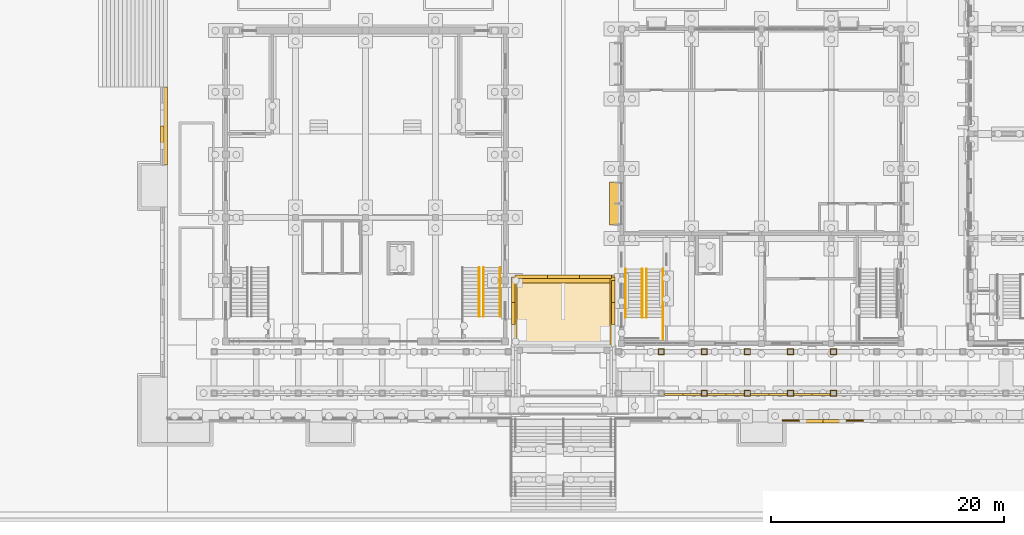
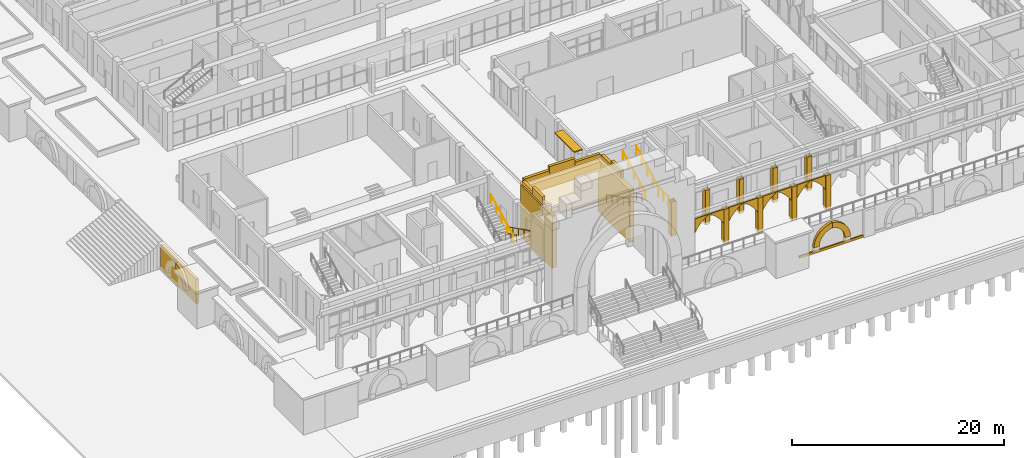
# One storey, part 91 of 161: 33 coverings, 7 railings, 1 shading device.
"""IFC4 building model written with IfcOpenShell, lengths in metres."""

import ifcopenshell
import ifcopenshell.guid

model = None  # the IFC model being written
_history = None  # IfcOwnerHistory: only IFC2X3 demands one
_inside = {}  # id of a spatial element -> (the spatial element, [elements in it])
_under = {}  # id of a project, library or spatial element -> (it, [spatial elements below it])
_declared = {}  # id of a project -> (the project, [libraries it declares])
_typed = {}  # id of a type object -> (the type object, [elements of that type])
_made_of = {}  # id of a material, layer set ... -> (it, [elements and type objects made of it])


def new_model(schema):
    """Start an empty IFC model of exactly this schema.

    Asked for "IFC4X3", IfcOpenShell would pick the latest addendum, in which some entities
    have other attributes; the version numbers below select the first issue.
    IFC2X3 requires an IfcOwnerHistory on every rooted entity: one is made here for all.
    """
    global model, _history
    if schema == "IFC4X3":
        model = ifcopenshell.file(schema_version=(4, 3, 0, 0))
    else:
        model = ifcopenshell.file(schema=schema)
    _inside.clear()
    _under.clear()
    _declared.clear()
    _typed.clear()
    _made_of.clear()
    _history = None
    if model.schema == "IFC2X3":
        org = make("IfcOrganization", Name="unknown")
        user = make(
            "IfcPersonAndOrganization",
            ThePerson=make("IfcPerson", FamilyName="unknown"),
            TheOrganization=org,
        )
        app = make(
            "IfcApplication",
            ApplicationDeveloper=org,
            Version="unknown",
            ApplicationFullName="unknown",
            ApplicationIdentifier="unknown",
        )
        _history = make(
            "IfcOwnerHistory",
            OwningUser=user,
            OwningApplication=app,
            ChangeAction="ADDED",
            CreationDate=0,
        )
    return model


def make(cls, **values):
    """One entity of the class cls with the attributes given. An attribute that is None is left unset."""
    return model.create_entity(
        cls, **{name: value for name, value in values.items() if value is not None}
    )


def rooted(cls, **values):
    """An entity with a GlobalId (a new one), such as an element, a storey or a relation."""
    return make(cls, GlobalId=ifcopenshell.guid.new(), OwnerHistory=_history, **values)


def si_unit(unit_type, name, prefix=None):
    """IfcSIUnit, for example si_unit("LENGTHUNIT", "METRE", prefix="MILLI")."""
    return make("IfcSIUnit", UnitType=unit_type, Prefix=prefix, Name=name)


def assignment(units):
    """IfcUnitAssignment: the units of a project."""
    return None if units is None else make("IfcUnitAssignment", Units=units)


def point(xyz):
    """IfcCartesianPoint."""
    return None if xyz is None else make("IfcCartesianPoint", Coordinates=xyz)


def direction(xyz):
    """IfcDirection."""
    return None if xyz is None else make("IfcDirection", DirectionRatios=xyz)


def frame(location, z_axis=None, x_axis=None):
    """IfcAxis2Placement3D, a coordinate frame: its origin and axes. An axis left out is left unset."""
    return make(
        "IfcAxis2Placement3D",
        Location=point(location),
        Axis=direction(z_axis),
        RefDirection=direction(x_axis),
    )


def frame_2d(location, x_axis=None):
    """IfcAxis2Placement2D, a coordinate frame in the plane: its origin and x axis."""
    return make(
        "IfcAxis2Placement2D", Location=point(location), RefDirection=direction(x_axis)
    )


def origin():
    """The frame at (0, 0, 0) with its axes left unset."""
    return frame((0.0, 0.0, 0.0))


def origin_2d():
    """The frame at (0, 0) in the plane with its x axis left unset."""
    return frame_2d((0.0, 0.0))


def place(relative_to, where):
    """IfcLocalPlacement: puts the frame where relative to a parent placement (None: the world)."""
    return make(
        "IfcLocalPlacement", PlacementRelTo=relative_to, RelativePlacement=where
    )


def context(
    kind, dimensions, precision=None, world=None, true_north=None, identifier=None
):
    """IfcGeometricRepresentationContext, for example the 3D "Model" context."""
    return make(
        "IfcGeometricRepresentationContext",
        ContextIdentifier=identifier,
        ContextType=kind,
        CoordinateSpaceDimension=dimensions,
        Precision=precision,
        WorldCoordinateSystem=world,
        TrueNorth=true_north,
    )


def subcontext(parent, identifier, kind, view, scale=None):
    """IfcGeometricRepresentationSubContext, for example "Body" below "Model"."""
    return make(
        "IfcGeometricRepresentationSubContext",
        ContextIdentifier=identifier,
        ContextType=kind,
        ParentContext=parent,
        TargetScale=scale,
        TargetView=view,
    )


def project(units=None, contexts=None):
    """IfcProject with its units and contexts."""
    return rooted(
        "IfcProject",
        Name="project",
        RepresentationContexts=contexts,
        UnitsInContext=assignment(units),
    )


def spatial(cls, under=None, at=None, **own):
    """A site, building, storey or space (cls), placed at a placement, below another one or the project."""
    s = rooted(cls, ObjectPlacement=at, **own)
    if under is not None:
        _under.setdefault(under.id(), (under, []))[1].append(s)
    return s


def polyline(points):
    """IfcPolyline through the points."""
    return make("IfcPolyline", Points=[point(p) for p in points])


def profile(cls, at=None, kind="AREA", **sizes):
    """A parametric profile (cls). Its sizes go by their IFC names, for example OverallWidth=200.0."""
    return make(cls, ProfileType=kind, Position=at, **sizes)


def circle(**sizes):
    """IfcCircleProfileDef."""
    return profile("IfcCircleProfileDef", **sizes)


def outline(outer, holes=None, kind="AREA"):
    """IfcArbitraryClosedProfileDef: a profile drawn as a closed curve; with holes, ...WithVoids."""
    if holes is None:
        return make("IfcArbitraryClosedProfileDef", ProfileType=kind, OuterCurve=outer)
    return make(
        "IfcArbitraryProfileDefWithVoids",
        ProfileType=kind,
        OuterCurve=outer,
        InnerCurves=holes,
    )


def extrude(swept, where, along, depth):
    """IfcExtrudedAreaSolid: the profile swept, set in the frame where, extruded along a direction by depth."""
    return make(
        "IfcExtrudedAreaSolid",
        SweptArea=swept,
        Position=where,
        ExtrudedDirection=direction(along),
        Depth=depth,
    )


def shape(context_of_items, identifier, shape_type, items):
    """IfcShapeRepresentation: the items that make up one representation, for example the "Body"."""
    return make(
        "IfcShapeRepresentation",
        ContextOfItems=context_of_items,
        RepresentationIdentifier=identifier,
        RepresentationType=shape_type,
        Items=items,
    )


def material(Name=None, Category=None):
    """IfcMaterial."""
    return make("IfcMaterial", Name=Name, Category=Category)


def layer(
    of_material, thickness, ventilated=None, Name=None, Category=None, Priority=None
):
    """IfcMaterialLayer: one layer of a wall or slab, of a material (None: an air gap)."""
    return make(
        "IfcMaterialLayer",
        Material=of_material,
        LayerThickness=thickness,
        IsVentilated=ventilated,
        Name=Name,
        Category=Category,
        Priority=Priority,
    )


def layer_set(layers, Name=None):
    """IfcMaterialLayerSet."""
    return make("IfcMaterialLayerSet", MaterialLayers=layers, LayerSetName=Name)


def made_of(thing, what):
    """Note that an element or type object is made of a material, layer set ...; save() writes the relation."""
    if what is not None:
        _made_of.setdefault(what.id(), (what, []))[1].append(thing)
    return thing


def type_object(cls, material=None, **own):
    """A type object (cls), such as IfcWallType, which elements share."""
    return made_of(rooted(cls, **own), material)


def element(
    cls,
    number,
    at=None,
    inside=None,
    cuts=None,
    type_object=None,
    material=None,
    context=None,
    identifier="Body",
    shape_type=None,
    held_by="IfcProductDefinitionShape",
    body=None,
    shapes=None,
    **own,
):
    """One element of the class cls, such as IfcWall. Its Tag is "e" and its number.

    at: its placement. inside: the storey or other place that contains it. cuts: it is an
    opening in that element (IfcRelVoidsElement). A single representation is given by context,
    identifier, shape_type and body (its items); several are given by shapes. held_by: the class
    of the entity that holds the representations. save() writes the other relations.
    """
    e = rooted(cls, Tag="e%d" % number, ObjectPlacement=at, **own)
    if body is not None:
        shapes = [shape(context, identifier, shape_type, body)]
    if shapes is not None:
        e.Representation = make(held_by, Representations=shapes)
    if inside is not None:
        _inside.setdefault(inside.id(), (inside, []))[1].append(e)
    if cuts is not None:
        rooted(
            "IfcRelVoidsElement", RelatingBuildingElement=cuts, RelatedOpeningElement=e
        )
    if type_object is not None:
        _typed.setdefault(type_object.id(), (type_object, []))[1].append(e)
    return made_of(e, material)


def aggregate(whole, parts):
    """IfcRelAggregates: a whole, such as a stair, and the parts it consists of."""
    return rooted("IfcRelAggregates", RelatingObject=whole, RelatedObjects=parts)


def save(model, path):
    """Write the relations noted so far, then the file.

    IfcRelAggregates (storeys below a building ...), IfcRelContainedInSpatialStructure (elements
    in a storey), IfcRelDefinesByType, IfcRelAssociatesMaterial and IfcRelDeclares: one each for
    every whole, place, type object, material and project.
    """
    for whole, parts in _under.values():
        aggregate(whole, parts)
    for where, things in _inside.values():
        rooted(
            "IfcRelContainedInSpatialStructure",
            RelatedElements=things,
            RelatingStructure=where,
        )
    for kind, things in _typed.values():
        rooted("IfcRelDefinesByType", RelatedObjects=things, RelatingType=kind)
    for what, things in _made_of.values():
        rooted("IfcRelAssociatesMaterial", RelatedObjects=things, RelatingMaterial=what)
    for by, libraries in _declared.values():
        rooted("IfcRelDeclares", RelatingContext=by, RelatedDefinitions=libraries)
    model.write(path)


model = new_model("IFC4")

# Units and contexts
model_context = context("Model", 3, precision=1e-05, world=origin(), true_north=direction((0.0, 1.0)))
body_context = subcontext(model_context, "Body", "Model", "MODEL_VIEW")
ifc_project = project(units=[si_unit("LENGTHUNIT", "METRE"), si_unit("AREAUNIT", "SQUARE_METRE"), si_unit("VOLUMEUNIT", "CUBIC_METRE"), si_unit("PLANEANGLEUNIT", "RADIAN"), si_unit("MASSUNIT", "GRAM", prefix="KILO")], contexts=[model_context])

# Site, building, storey
site_placement = place(None, origin())
site = spatial("IfcSite", under=ifc_project, at=site_placement, CompositionType="ELEMENT")
building_placement = place(site_placement, origin())
building = spatial("IfcBuilding", under=site, at=building_placement, Name="Elbe Cascade School", CompositionType="ELEMENT")
storey_placement = place(building_placement, origin())
storey = spatial("IfcBuildingStorey", under=building, at=storey_placement, Name="L00", CompositionType="ELEMENT", Elevation=0.0)

# Railings
ifc_material_1 = material(Name="Steel - stainless handrail", Category="steel")
railing_type_1 = type_object("IfcRailingType", Name="Assembly hall handrail 900", PredefinedType="HANDRAIL", material=ifc_material_1)
for number, where, name in (
    (1, (28.570068359375, 12.5, 0.14990234375), "Assembly hall handrail 900 RL15"),
    (2, (27.1298828125, 12.5, 0.14990234375), "Assembly hall handrail 900 RL15"),
):
    element("IfcRailing", number, at=place(storey_placement, frame(where)), inside=storey, type_object=railing_type_1, Name=name, PredefinedType="HANDRAIL", context=body_context, shape_type="SweptSolid", body=[
        extrude(circle(Radius=0.0224609375, at=origin_2d()), frame((0.0, 0.0, 0.87744140625), z_axis=(0.0, -0.894416792377, 0.447234392142), x_axis=(1.0, 0.0, 0.0)), (0.0, 0.0, 1.0), 4.69580078125),
        extrude(circle(Radius=0.02001953125, at=origin_2d()), origin(), (0.0, 0.0, 1.0), 0.85498046875),
        extrude(circle(Radius=0.02001953125, at=origin_2d()), frame((0.0, -1.050048828125, 0.52490234375)), (0.0, 0.0, 1.0), 0.85498046875),
        extrude(circle(Radius=0.02001953125, at=origin_2d()), frame((0.0, -2.10009765625, 1.050048828125)), (0.0, 0.0, 1.0), 0.85498046875),
        extrude(circle(Radius=0.02001953125, at=origin_2d()), frame((0.0, -3.14990234375, 1.5751953125)), (0.0, 0.0, 1.0), 0.85498046875),
        extrude(circle(Radius=0.02001953125, at=origin_2d()), frame((0.0, -4.199951171875, 2.10009765625)), (0.0, 0.0, 1.0), 0.85498046875),
    ])
railing_1_placement = place(storey_placement, frame((26.77001953125, 8.300048828125, 2.39990234375)))
element("IfcRailing", 3, at=railing_1_placement, inside=storey, type_object=railing_type_1, Name="Assembly hall handrail 900 RL15", PredefinedType="HANDRAIL", context=body_context, shape_type="SweptSolid", body=[
    extrude(circle(Radius=0.0224609375, at=origin_2d()), frame((0.0, 0.0, 0.87744140625), z_axis=(0.0, 0.894416792377, 0.447234392142), x_axis=(-1.0, 0.0, 0.0)), (0.0, 0.0, 1.0), 4.69580078125),
    extrude(circle(Radius=0.02001953125, at=origin_2d()), origin(), (0.0, 0.0, 1.0), 0.85498046875),
    extrude(circle(Radius=0.02001953125, at=origin_2d()), frame((0.0, 1.050048828125, 0.52490234375)), (0.0, 0.0, 1.0), 0.85498046875),
    extrude(circle(Radius=0.02001953125, at=origin_2d()), frame((0.0, 2.10009765625, 1.050048828125)), (0.0, 0.0, 1.0), 0.85498046875),
    extrude(circle(Radius=0.02001953125, at=origin_2d()), frame((0.0, 3.14990234375, 1.5751953125)), (0.0, 0.0, 1.0), 0.85498046875),
    extrude(circle(Radius=0.02001953125, at=origin_2d()), frame((0.0, 4.199951171875, 2.10009765625)), (0.0, 0.0, 1.0), 0.85498046875),
])
ifc_material_2 = material(Name="Steel S355J2H balustrade", Category="steel")
railing_type_2 = type_object("IfcRailingType", Name="Cafe guard 1100", PredefinedType="GUARDRAIL", material=ifc_material_2)
railing_2_placement = place(storey_placement, frame((42.570068359375, 6.35009765625, 2.25)))
element("IfcRailing", 4, at=railing_2_placement, inside=storey, type_object=railing_type_2, Name="Cafe guard 1100 RL11", PredefinedType="GUARDRAIL", context=body_context, shape_type="SweptSolid", body=[
    extrude(circle(Radius=0.02490234375, at=origin_2d()), frame((0.0, 0.0, 1.0751953125), z_axis=(0.0, 1.0, 0.0), x_axis=(-1.0, 0.0, 0.0)), (0.0, 0.0, 1.0), 1.849853515625),
    extrude(circle(Radius=0.02490234375, at=origin_2d()), frame((0.0, 1.849853515625, 1.0751953125), z_axis=(0.0, 0.881477684796, 0.472225678258), x_axis=(-1.0, 0.0, 0.0)), (0.0, 0.0, 1.0), 4.7646484375),
    extrude(circle(Radius=0.02001953125, at=origin_2d()), origin(), (0.0, 0.0, 1.0), 1.050048828125),
    extrude(circle(Radius=0.02001953125, at=origin_2d()), frame((0.0, 0.9248046875, 0.0)), (0.0, 0.0, 1.0), 1.050048828125),
    extrude(circle(Radius=0.02001953125, at=origin_2d()), frame((0.0, 1.849853515625, 0.0)), (0.0, 0.0, 1.0), 1.050048828125),
    extrude(circle(Radius=0.02001953125, at=origin_2d()), frame((0.0, 2.89990234375, 0.5625)), (0.0, 0.0, 1.0), 1.050048828125),
    extrude(circle(Radius=0.02001953125, at=origin_2d()), frame((0.0, 3.94970703125, 1.125)), (0.0, 0.0, 1.0), 1.050048828125),
    extrude(circle(Radius=0.02001953125, at=origin_2d()), frame((0.0, 4.999755859375, 1.6875)), (0.0, 0.0, 1.0), 1.050048828125),
    extrude(circle(Radius=0.02001953125, at=origin_2d()), frame((0.0, 6.0498046875, 2.25)), (0.0, 0.0, 1.0), 1.050048828125),
])
ifc_material_3 = material(Name="Steel - stainless handrail", Category="steel")
railing_type_3 = type_object("IfcRailingType", Name="Cafe handrail 900", PredefinedType="HANDRAIL", material=ifc_material_3)
for number, where, name in (
    (5, (39.330078125, 12.39990234375, 0.14990234375), "Cafe handrail 900 RL16"),
    (6, (40.77001953125, 12.39990234375, 0.14990234375), "Cafe handrail 900 RL16"),
):
    element("IfcRailing", number, at=place(storey_placement, frame(where)), inside=storey, type_object=railing_type_3, Name=name, PredefinedType="HANDRAIL", context=body_context, shape_type="SweptSolid", body=[
        extrude(circle(Radius=0.0224609375, at=origin_2d()), frame((0.0, 0.0, 0.87744140625), z_axis=(0.0, -0.894416792377, 0.447234392142), x_axis=(1.0, 0.0, 0.0)), (0.0, 0.0, 1.0), 4.69580078125),
        extrude(circle(Radius=0.02001953125, at=origin_2d()), origin(), (0.0, 0.0, 1.0), 0.85498046875),
        extrude(circle(Radius=0.02001953125, at=origin_2d()), frame((0.0, -1.050048828125, 0.52490234375)), (0.0, 0.0, 1.0), 0.85498046875),
        extrude(circle(Radius=0.02001953125, at=origin_2d()), frame((0.0, -2.10009765625, 1.050048828125)), (0.0, 0.0, 1.0), 0.85498046875),
        extrude(circle(Radius=0.02001953125, at=origin_2d()), frame((0.0, -3.14990234375, 1.5751953125)), (0.0, 0.0, 1.0), 0.85498046875),
        extrude(circle(Radius=0.02001953125, at=origin_2d()), frame((0.0, -4.199951171875, 2.10009765625)), (0.0, 0.0, 1.0), 0.85498046875),
    ])
railing_3_placement = place(storey_placement, frame((41.1298828125, 8.199951171875, 2.39990234375)))
element("IfcRailing", 7, at=railing_3_placement, inside=storey, type_object=railing_type_3, Name="Cafe handrail 900 RL16", PredefinedType="HANDRAIL", context=body_context, shape_type="SweptSolid", body=[
    extrude(circle(Radius=0.0224609375, at=origin_2d()), frame((0.0, 0.0, 0.87744140625), z_axis=(0.0, 0.894416792377, 0.447234392142), x_axis=(-1.0, 0.0, 0.0)), (0.0, 0.0, 1.0), 4.69580078125),
    extrude(circle(Radius=0.02001953125, at=origin_2d()), origin(), (0.0, 0.0, 1.0), 0.85498046875),
    extrude(circle(Radius=0.02001953125, at=origin_2d()), frame((0.0, 1.050048828125, 0.52490234375)), (0.0, 0.0, 1.0), 0.85498046875),
    extrude(circle(Radius=0.02001953125, at=origin_2d()), frame((0.0, 2.10009765625, 1.050048828125)), (0.0, 0.0, 1.0), 0.85498046875),
    extrude(circle(Radius=0.02001953125, at=origin_2d()), frame((0.0, 3.14990234375, 1.5751953125)), (0.0, 0.0, 1.0), 0.85498046875),
    extrude(circle(Radius=0.02001953125, at=origin_2d()), frame((0.0, 4.199951171875, 2.10009765625)), (0.0, 0.0, 1.0), 0.85498046875),
])

# Shading device
ifc_material_4 = material(Name="Precast concrete C30/37", Category="concrete")
ifc_layer_1 = layer(ifc_material_4, 0.1201171875)
ifc_layer_set_1 = layer_set([ifc_layer_1], Name="Precast concrete C30/37")
shading_device_type = type_object("IfcShadingDeviceType", Name="Dining chhajja eave 900", PredefinedType="USERDEFINED", material=ifc_layer_set_1)
shading_device_placement = place(storey_placement, frame((0.0, 0.0, 4.050048828125)))
element("IfcShadingDevice", 8, at=shading_device_placement, inside=storey, type_object=shading_device_type, Name="Dining chhajja eave 900 SD15", ObjectType="CHHAJJA", PredefinedType="USERDEFINED", context=body_context, shape_type="SweptSolid", body=[
    extrude(outline(polyline([(37.949951171875, 16.14990234375), (38.85009765625, 16.14990234375), (38.85009765625, 19.85009765625), (37.949951171875, 19.85009765625), (37.949951171875, 16.14990234375)])), origin(), (0.0, 0.0, 1.0), 0.119873046875),
])

# Coverings
ifc_material_5 = material(Name="Sandstone - red", Category="masonry")
ifc_layer_2 = layer(ifc_material_5, 0.300048828125)
ifc_layer_set_2 = layer_set([ifc_layer_2], Name="Sandstone - red")
covering_type_1 = type_object("IfcCoveringType", Name="Gate chamber parapet 300", PredefinedType="CLADDING", material=ifc_layer_set_2)
covering_1_placement = place(storey_placement, frame((0.0, 0.0, 6.199951171875)))
element("IfcCovering", 9, at=covering_1_placement, inside=storey, type_object=covering_type_1, Name="Gate chamber parapet 300 CV16", PredefinedType="CLADDING", context=body_context, shape_type="SweptSolid", body=[
    extrude(outline(polyline([(29.550048828125, 7.60009765625), (29.85009765625, 7.60009765625), (29.85009765625, 9.5), (29.550048828125, 9.5), (29.550048828125, 7.60009765625)])), origin(), (0.0, 0.0, 1.0), 0.900146484375),
])
covering_2_placement = place(storey_placement, frame((0.0, 0.0, 6.199951171875)))
element("IfcCovering", 10, at=covering_2_placement, inside=storey, type_object=covering_type_1, Name="Gate chamber parapet 300 CV16", PredefinedType="CLADDING", context=body_context, shape_type="SweptSolid", body=[
    extrude(outline(polyline([(29.550048828125, 9.5), (29.85009765625, 9.5), (29.85009765625, 11.39990234375), (29.550048828125, 11.39990234375), (29.550048828125, 9.5)])), origin(), (0.0, 0.0, 1.0), 0.449951171875),
])
covering_3_placement = place(storey_placement, frame((0.0, 0.0, 6.199951171875)))
element("IfcCovering", 11, at=covering_3_placement, inside=storey, type_object=covering_type_1, Name="Gate chamber parapet 300 CV16", PredefinedType="CLADDING", context=body_context, shape_type="SweptSolid", body=[
    extrude(outline(polyline([(38.14990234375, 7.60009765625), (38.449951171875, 7.60009765625), (38.449951171875, 9.5), (38.14990234375, 9.5), (38.14990234375, 7.60009765625)])), origin(), (0.0, 0.0, 1.0), 0.900146484375),
])
covering_4_placement = place(storey_placement, frame((0.0, 0.0, 6.199951171875)))
element("IfcCovering", 12, at=covering_4_placement, inside=storey, type_object=covering_type_1, Name="Gate chamber parapet 300 CV16", PredefinedType="CLADDING", context=body_context, shape_type="SweptSolid", body=[
    extrude(outline(polyline([(38.14990234375, 9.5), (38.449951171875, 9.5), (38.449951171875, 11.39990234375), (38.14990234375, 11.39990234375), (38.14990234375, 9.5)])), origin(), (0.0, 0.0, 1.0), 0.449951171875),
])
covering_5_placement = place(storey_placement, frame((0.0, 0.0, 6.199951171875)))
element("IfcCovering", 13, at=covering_5_placement, inside=storey, type_object=covering_type_1, Name="Gate chamber parapet 300 CV16", PredefinedType="CLADDING", context=body_context, shape_type="SweptSolid", body=[
    extrude(outline(polyline([(29.85009765625, 11.550048828125), (32.61669921875, 11.550048828125), (32.61669921875, 11.85009765625), (29.85009765625, 11.85009765625), (29.85009765625, 11.550048828125)])), origin(), (0.0, 0.0, 1.0), 0.449951171875),
])
covering_6_placement = place(storey_placement, frame((0.0, 0.0, 6.199951171875)))
element("IfcCovering", 14, at=covering_6_placement, inside=storey, type_object=covering_type_1, Name="Gate chamber parapet 300 CV16", PredefinedType="CLADDING", context=body_context, shape_type="SweptSolid", body=[
    extrude(outline(polyline([(32.61669921875, 11.550048828125), (35.38330078125, 11.550048828125), (35.38330078125, 11.85009765625), (32.61669921875, 11.85009765625), (32.61669921875, 11.550048828125)])), origin(), (0.0, 0.0, 1.0), 0.900146484375),
])
covering_7_placement = place(storey_placement, frame((0.0, 0.0, 6.199951171875)))
element("IfcCovering", 15, at=covering_7_placement, inside=storey, type_object=covering_type_1, Name="Gate chamber parapet 300 CV16", PredefinedType="CLADDING", context=body_context, shape_type="SweptSolid", body=[
    extrude(outline(polyline([(35.38330078125, 11.550048828125), (38.14990234375, 11.550048828125), (38.14990234375, 11.85009765625), (35.38330078125, 11.85009765625), (35.38330078125, 11.550048828125)])), origin(), (0.0, 0.0, 1.0), 0.449951171875),
])
ifc_material_6 = material(Name="Sandstone - red", Category="masonry")
ifc_layer_3 = layer(ifc_material_6, 0.5)
ifc_layer_set_3 = layer_set([ifc_layer_3], Name="Sandstone - red")
covering_type_2 = type_object("IfcCoveringType", Name="Gate hall lintel 500", PredefinedType="CLADDING", material=ifc_layer_set_3)
covering_8_placement = place(storey_placement, frame((0.0, 0.0, 5.0)))
element("IfcCovering", 16, at=covering_8_placement, inside=storey, type_object=covering_type_2, Name="Gate hall lintel 500 CV19", PredefinedType="CLADDING", context=body_context, shape_type="SweptSolid", body=[
    extrude(outline(polyline([(30.0, 11.199951171875), (38.0, 11.199951171875), (38.0, 11.699951171875), (30.0, 11.699951171875), (30.0, 11.199951171875)])), origin(), (0.0, 0.0, 1.0), 1.0),
])
ifc_material_7 = material(Name="Sandstone - red", Category="masonry")
ifc_layer_4 = layer(ifc_material_7, 0.199951171875)
ifc_layer_set_4 = layer_set([ifc_layer_4], Name="Sandstone - red")
covering_type_3 = type_object("IfcCoveringType", Name="Gate hall roof deck 200", PredefinedType="CLADDING", material=ifc_layer_set_4)
covering_9_placement = place(storey_placement, frame((0.0, 0.0, 6.0)))
element("IfcCovering", 17, at=covering_9_placement, inside=storey, type_object=covering_type_3, Name="Gate hall roof deck 200 CV20", PredefinedType="CLADDING", context=body_context, shape_type="SweptSolid", body=[
    extrude(outline(polyline([(29.550048828125, 5.699951171875), (38.449951171875, 5.699951171875), (38.449951171875, 11.85009765625), (29.550048828125, 11.85009765625), (29.550048828125, 5.699951171875)])), origin(), (0.0, 0.0, 1.0), 0.199951171875),
])
ifc_material_8 = material(Name="Sandstone - red", Category="masonry")
ifc_layer_5 = layer(ifc_material_8, 0.449951171875)
ifc_layer_set_5 = layer_set([ifc_layer_5], Name="Sandstone - red")
covering_type_4 = type_object("IfcCoveringType", Name="Gate hall wall 450", PredefinedType="CLADDING", material=ifc_layer_set_5)
covering_10_placement = place(storey_placement, origin())
element("IfcCovering", 18, at=covering_10_placement, inside=storey, type_object=covering_type_4, Name="Gate hall wall 450 CV18", PredefinedType="CLADDING", context=body_context, shape_type="SweptSolid", body=[
    extrude(outline(polyline([(29.550048828125, 5.699951171875), (30.0, 5.699951171875), (30.0, 11.699951171875), (29.550048828125, 11.699951171875), (29.550048828125, 5.699951171875)])), origin(), (0.0, 0.0, 1.0), 6.0),
])
covering_11_placement = place(storey_placement, origin())
element("IfcCovering", 19, at=covering_11_placement, inside=storey, type_object=covering_type_4, Name="Gate hall wall 450 CV18", PredefinedType="CLADDING", context=body_context, shape_type="SweptSolid", body=[
    extrude(outline(polyline([(38.0, 5.699951171875), (38.449951171875, 5.699951171875), (38.449951171875, 11.699951171875), (38.0, 11.699951171875), (38.0, 5.699951171875)])), origin(), (0.0, 0.0, 1.0), 6.0),
])
ifc_material_9 = material(Name="Sandstone - red", Category="masonry")
ifc_layer_6 = layer(ifc_material_9, 0.14990234375)
ifc_layer_set_6 = layer_set([ifc_layer_6], Name="Sandstone - red")
covering_type_5 = type_object("IfcCoveringType", Name="Plinth base course 150x250", PredefinedType="CLADDING", material=ifc_layer_set_6)
covering_12_placement = place(storey_placement, frame((0.0, 0.0, -3.10009765625)))
element("IfcCovering", 20, at=covering_12_placement, inside=storey, type_object=covering_type_5, Name="Plinth base course south 0.4.1", PredefinedType="CLADDING", context=body_context, shape_type="SweptSolid", body=[
    extrude(outline(polyline([(52.800048828125, -0.7099609375), (59.7666015625, -0.7099609375), (59.7666015625, -0.56005859375), (52.800048828125, -0.56005859375), (52.800048828125, -0.7099609375)])), origin(), (0.0, 0.0, 1.0), 0.25),
])
ifc_material_10 = material(Name="Sandstone - red", Category="masonry")
ifc_layer_7 = layer(ifc_material_10, 0.300048828125)
ifc_layer_set_7 = layer_set([ifc_layer_7], Name="Sandstone - red")
covering_type_6 = type_object("IfcCoveringType", Name="Plinth facing 300", PredefinedType="CLADDING", material=ifc_layer_set_7)
covering_13_placement = place(storey_placement, frame((0.0, 0.0, -3.10009765625)))
element("IfcCovering", 21, at=covering_13_placement, inside=storey, type_object=covering_type_6, Name="Plinth facing west 2", PredefinedType="CLADDING", context=body_context, shape_type="SweptSolid", body=[
    extrude(outline(polyline([(-0.300048828125, 21.300048828125), (0.0, 21.300048828125), (0.0, 28.0), (-0.300048828125, 28.0), (-0.300048828125, 21.300048828125)])), origin(), (0.0, 0.0, 1.0), 2.85009765625),
])
ifc_material_11 = material(Name="Sandstone - red", Category="masonry")
ifc_layer_8 = layer(ifc_material_11, 0.300048828125)
ifc_layer_set_8 = layer_set([ifc_layer_8], Name="Sandstone - red")
covering_type_7 = type_object("IfcCoveringType", Name="Plinth niche arch band 600x300", PredefinedType="CLADDING", material=ifc_layer_set_8)
covering_14_placement = place(storey_placement, frame((-0.60009765625, 22.674560546875, -2.0341796875), z_axis=(-1.0, 0.0, 0.0), x_axis=(0.0, 0.229640615433, 0.973275494268)))
element("IfcCovering", 22, at=covering_14_placement, inside=storey, type_object=covering_type_7, Name="Plinth niche arch band west 0.2.1b", PredefinedType="CLADDING", context=body_context, shape_type="SweptSolid", body=[
    extrude(outline(polyline([(0.0, 0.0), (0.31681637027835047, 0.0), (0.6296088823787412, 0.04886067811575373), (0.9315267427864806, 0.14518832098545423), (1.2146004998268738, 0.2871006253983999), (1.4726067943887962, 0.47054739410121904), (1.699434396567878, 0.6919536620154754), (1.8891803432917578, 0.9454377254653902), (2.037954729394572, 1.2251445961231031), (2.1416433912969475, 1.5242688213108815), (1.5575830483008861, 1.66207561641209), (1.4825516767193998, 1.4525140307106628), (1.3764806454459984, 1.2570489300335477), (1.2416232623821883, 1.0799146970257483), (1.0812393643827247, 0.9253590720062276), (0.899007955873922, 0.7972800499997257), (0.6996279279093016, 0.6985824547516934), (0.4872108101606949, 0.6318080070394001), (0.26725112189532263, 0.5979178949791348), (0.04458659872137888, 0.5982791165847868), (-0.17533094702333402, 0.6326087149319284), (-0.3131377421245425, 0.04854837193586718), (0.0, 0.0)])), origin(), (0.0, 0.0, -1.0), 0.300048828125),
])
covering_15_placement = place(storey_placement, frame((54.283203125, -0.860107421875, -2.35009765625), z_axis=(0.0, -1.0, 0.0), x_axis=(1.0, 0.0, 0.0)))
element("IfcCovering", 23, at=covering_15_placement, inside=storey, type_object=covering_type_7, Name="Plinth niche arch band south 0.4.1a", PredefinedType="CLADDING", context=body_context, shape_type="SweptSolid", body=[
    extrude(outline(polyline([(0.0, 0.0), (0.60009765625, 0.0), (0.61669921875, 0.234619140625), (0.666015625, 0.464599609375), (0.7470703125, 0.685302734375), (0.858154296875, 0.892578125), (0.997314453125, 1.08203125), (1.16162109375, 1.250244140625), (1.347900390625, 1.393798828125), (1.552490234375, 1.509521484375), (1.771484375, 1.595703125), (2.0, 1.650146484375), (2.0, 2.256103515625), (1.677001953125, 2.193115234375), (1.3662109375, 2.083984375), (1.074462890625, 1.930908203125), (0.807861328125, 1.737548828125), (0.572021484375, 1.507568359375), (0.3720703125, 1.245849609375), (0.2119140625, 0.9580078125), (0.09521484375, 0.650146484375), (0.02392578125, 0.32861328125), (0.0, 0.0)])), origin(), (0.0, 0.0, -1.0), 0.300048828125),
])
covering_16_placement = place(storey_placement, frame((58.259521484375, -0.860107421875, -2.021484375), z_axis=(0.0, -1.0, 0.0), x_axis=(-0.215752753128, 0.0, 0.976448027044)))
element("IfcCovering", 24, at=covering_16_placement, inside=storey, type_object=covering_type_7, Name="Plinth niche arch band south 0.4.1b", PredefinedType="CLADDING", context=body_context, shape_type="SweptSolid", body=[
    extrude(outline(polyline([(0.0, 0.0), (0.32928859931076776, 0.0), (0.6551300375067007, 0.04776718341293948), (0.9707467440341984, 0.1420487776030396), (1.2694941909472746, 0.2810625546593224), (1.544888587491183, 0.4614905948572066), (1.7912139888179794, 0.6800953470677311), (2.0036303591657663, 0.9319455463123487), (2.1771923147486576, 1.211633146349308), (2.308490163594372, 1.5139108381280966), (1.7168046159570198, 1.6446477358976255), (1.614235281859136, 1.4327836281292001), (1.482887474156685, 1.237779548447321), (1.325749492725996, 1.0629756808496802), (1.1453855301921871, 0.9120559479895607), (0.9456847749460033, 0.7879114471850753), (0.7306694579858032, 0.692903820479138), (0.5042564622859574, 0.6289179286514578), (0.2713162333472466, 0.5976279364337665), (0.036112107954889394, 0.5990919481485736), (-0.19656312183069619, 0.633501110726002), (-0.3259831693003708, 0.0477753288787118), (0.0, 0.0)])), origin(), (0.0, 0.0, -1.0), 0.300048828125),
])
ifc_material_12 = material(Name="Sandstone - red", Category="masonry")
ifc_layer_9 = layer(ifc_material_12, 0.14990234375)
ifc_layer_set_9 = layer_set([ifc_layer_9], Name="Sandstone - red")
covering_type_8 = type_object("IfcCoveringType", Name="Sandstone arch spandrel 3170x150", PredefinedType="CLADDING", material=ifc_layer_set_9)
covering_17_placement = place(storey_placement, frame((42.6650390625, 1.52490234375, 3.64990234375), z_axis=(0.0, -1.0, 0.0), x_axis=(0.0, 0.0, -1.0)))
element("IfcCovering", 25, at=covering_17_placement, inside=storey, type_object=covering_type_8, Name="Colonnade arch spandrel 10l", PredefinedType="CLADDING", context=body_context, shape_type="SweptSolid", body=[
    extrude(outline(polyline([(0.0, 0.0), (1.64990234375, 0.0), (1.39697265625, 0.141845703125), (1.155029296875, 0.3017578125), (0.92529296875, 0.478759765625), (0.709228515625, 0.671875), (0.507568359375, 0.88037109375), (0.3212890625, 1.1025390625), (0.15185546875, 1.337890625), (0.0, 1.5849609375), (0.0, 0.0)])), origin(), (0.0, 0.0, -1.0), 0.14990234375),
])
covering_18_placement = place(storey_placement, frame((44.25, 1.52490234375, 3.64990234375), z_axis=(0.0, -1.0, 0.0), x_axis=(0.851947232707, 0.0, -0.52362764698)))
element("IfcCovering", 26, at=covering_18_placement, inside=storey, type_object=covering_type_8, Name="Colonnade arch spandrel 10r", PredefinedType="CLADDING", context=body_context, shape_type="SweptSolid", body=[
    extrude(outline(polyline([(0.0, 0.0), (0.2900065908011918, 0.0), (0.5792338172011682, -0.021111896437985944), (0.8660501932777647, -0.06347873721038338), (1.1492726964852549, -0.12610823030003315), (1.4269340071906127, -0.20906326745450166), (1.6980266242612543, -0.3121033802272114), (1.960951535291733, -0.4344919541630051), (2.2142375666576024, -0.5757003697365862), (1.3503030846525463, 0.8299293662587784), (0.0, 0.0)])), origin(), (0.0, 0.0, -1.0), 0.14990234375),
])
covering_19_placement = place(storey_placement, frame((46.364990234375, 1.52490234375, 3.64990234375), z_axis=(0.0, -1.0, 0.0), x_axis=(0.0, 0.0, -1.0)))
element("IfcCovering", 27, at=covering_19_placement, inside=storey, type_object=covering_type_8, Name="Colonnade arch spandrel 11l", PredefinedType="CLADDING", context=body_context, shape_type="SweptSolid", body=[
    extrude(outline(polyline([(0.0, 0.0), (1.64990234375, 0.0), (1.39697265625, 0.141845703125), (1.155029296875, 0.3017578125), (0.92529296875, 0.478759765625), (0.709228515625, 0.672119140625), (0.507568359375, 0.88037109375), (0.3212890625, 1.102783203125), (0.15185546875, 1.337890625), (0.0, 1.5849609375), (0.0, 0.0)])), origin(), (0.0, 0.0, -1.0), 0.14990234375),
])
covering_20_placement = place(storey_placement, frame((47.949951171875, 1.52490234375, 3.64990234375), z_axis=(0.0, -1.0, 0.0), x_axis=(0.851947232707, 0.0, -0.52362764698)))
element("IfcCovering", 28, at=covering_20_placement, inside=storey, type_object=covering_type_8, Name="Colonnade arch spandrel 11r", PredefinedType="CLADDING", context=body_context, shape_type="SweptSolid", body=[
    extrude(outline(polyline([(0.0, 0.0), (0.2900065908011918, 0.0), (0.5792338172011682, -0.021111896437985944), (0.866258188207625, -0.06335089842938235), (1.1492726964852549, -0.12610823030003315), (1.4269340071906127, -0.20906326745450166), (1.6980266242612543, -0.3121033802272114), (1.960951535291733, -0.4344919541630051), (2.2142375666576024, -0.5757003697365862), (1.3503030846525463, 0.8299293662587784), (0.0, 0.0)])), origin(), (0.0, 0.0, -1.0), 0.14990234375),
])
covering_21_placement = place(storey_placement, frame((50.06494140625, 1.52490234375, 3.64990234375), z_axis=(0.0, -1.0, 0.0), x_axis=(0.0, 0.0, -1.0)))
element("IfcCovering", 29, at=covering_21_placement, inside=storey, type_object=covering_type_8, Name="Colonnade arch spandrel 12l", PredefinedType="CLADDING", context=body_context, shape_type="SweptSolid", body=[
    extrude(outline(polyline([(0.0, 0.0), (1.64990234375, 0.0), (1.39697265625, 0.141845703125), (1.155029296875, 0.3017578125), (0.92529296875, 0.478759765625), (0.709228515625, 0.672119140625), (0.507568359375, 0.88037109375), (0.3212890625, 1.102783203125), (0.15185546875, 1.338134765625), (0.0, 1.5849609375), (0.0, 0.0)])), origin(), (0.0, 0.0, -1.0), 0.14990234375),
])
covering_22_placement = place(storey_placement, frame((51.64990234375, 1.52490234375, 3.64990234375), z_axis=(0.0, -1.0, 0.0), x_axis=(0.851947232707, 0.0, -0.52362764698)))
element("IfcCovering", 30, at=covering_22_placement, inside=storey, type_object=covering_type_8, Name="Colonnade arch spandrel 12r", PredefinedType="CLADDING", context=body_context, shape_type="SweptSolid", body=[
    extrude(outline(polyline([(0.0, 0.0), (0.2900065908011918, 0.0), (0.5792338172011682, -0.021111896437985944), (0.866258188207625, -0.06335089842938235), (1.1492726964852549, -0.12610823030003315), (1.4269340071906127, -0.20906326745450166), (1.6980266242612543, -0.3121033802272114), (1.960951535291733, -0.4344919541630051), (2.2144455615874628, -0.5755725309555851), (1.3505110795824065, 0.8300572050397795), (0.0, 0.0)])), origin(), (0.0, 0.0, -1.0), 0.14990234375),
])
covering_23_placement = place(storey_placement, frame((53.764892578125, 1.52490234375, 3.64990234375), z_axis=(0.0, -1.0, 0.0), x_axis=(0.0, 0.0, -1.0)))
element("IfcCovering", 31, at=covering_23_placement, inside=storey, type_object=covering_type_8, Name="Colonnade arch spandrel 13l", PredefinedType="CLADDING", context=body_context, shape_type="SweptSolid", body=[
    extrude(outline(polyline([(0.0, 0.0), (1.64990234375, 0.0), (1.39697265625, 0.14208984375), (1.155029296875, 0.302001953125), (0.92529296875, 0.47900390625), (0.709228515625, 0.672119140625), (0.507568359375, 0.88037109375), (0.3212890625, 1.102783203125), (0.15185546875, 1.338134765625), (0.0, 1.585205078125), (0.0, 0.0)])), origin(), (0.0, 0.0, -1.0), 0.14990234375),
])
covering_24_placement = place(storey_placement, frame((55.35009765625, 1.52490234375, 3.64990234375), z_axis=(0.0, -1.0, 0.0), x_axis=(0.851716162106, 0.0, -0.524003415262)))
element("IfcCovering", 32, at=covering_24_placement, inside=storey, type_object=covering_type_8, Name="Colonnade arch spandrel 13r", PredefinedType="CLADDING", context=body_context, shape_type="SweptSolid", body=[
    extrude(outline(polyline([(0.0, 0.0), (0.28979862406807466, 0.0), (0.5790351354115117, -0.02098430766332937), (0.8660781113695626, -0.06309669056939587), (1.1491202762337052, -0.12572917022788543), (1.4270260923703046, -0.20843378413815372), (1.6981641371186122, -0.3113542998796086), (1.9611430118023847, -0.4336268779193272), (2.214491309750543, -0.5747235477618304), (1.3499368467761932, 0.8305249443074108), (0.0, 0.0)])), origin(), (0.0, 0.0, -1.0), 0.14990234375),
])
ifc_material_13 = material(Name="Sandstone - red", Category="masonry")
ifc_layer_10 = layer(ifc_material_13, 0.0400390625)
ifc_layer_set_10 = layer_set([ifc_layer_10], Name="Sandstone - red")
covering_type_9 = type_object("IfcCoveringType", Name="Sandstone column cladding 40", PredefinedType="CLADDING", material=ifc_layer_set_10)
covering_25_placement = place(storey_placement, frame((0.0, 0.0, -0.300048828125)))
element("IfcCovering", 33, at=covering_25_placement, inside=storey, type_object=covering_type_9, Name="Colonnade column sandstone cladding F11", PredefinedType="CLADDING", context=body_context, shape_type="SweptSolid", body=[
    extrude(outline(polyline([(45.8349609375, 1.4599609375), (46.364990234375, 1.4599609375), (46.364990234375, 1.989990234375), (45.8349609375, 1.989990234375), (45.8349609375, 1.4599609375)]), holes=[polyline([(45.875, 1.949951171875), (46.324951171875, 1.949951171875), (46.324951171875, 1.5), (45.875, 1.5), (45.875, 1.949951171875)])]), origin(), (0.0, 0.0, 1.0), 3.949951171875),
])
covering_26_placement = place(storey_placement, frame((0.0, 0.0, -0.300048828125)))
element("IfcCovering", 34, at=covering_26_placement, inside=storey, type_object=covering_type_9, Name="Colonnade column sandstone cladding F12", PredefinedType="CLADDING", context=body_context, shape_type="SweptSolid", body=[
    extrude(outline(polyline([(49.534912109375, 1.4599609375), (50.06494140625, 1.4599609375), (50.06494140625, 1.989990234375), (49.534912109375, 1.989990234375), (49.534912109375, 1.4599609375)]), holes=[polyline([(49.574951171875, 1.949951171875), (50.02490234375, 1.949951171875), (50.02490234375, 1.5), (49.574951171875, 1.5), (49.574951171875, 1.949951171875)])]), origin(), (0.0, 0.0, 1.0), 3.949951171875),
])
covering_27_placement = place(storey_placement, frame((0.0, 0.0, -0.300048828125)))
element("IfcCovering", 35, at=covering_27_placement, inside=storey, type_object=covering_type_9, Name="Colonnade column sandstone cladding F13", PredefinedType="CLADDING", context=body_context, shape_type="SweptSolid", body=[
    extrude(outline(polyline([(53.235107421875, 1.4599609375), (53.764892578125, 1.4599609375), (53.764892578125, 1.989990234375), (53.235107421875, 1.989990234375), (53.235107421875, 1.4599609375)]), holes=[polyline([(53.27490234375, 1.949951171875), (53.72509765625, 1.949951171875), (53.72509765625, 1.5), (53.27490234375, 1.5), (53.27490234375, 1.949951171875)])]), origin(), (0.0, 0.0, 1.0), 3.949951171875),
])
covering_28_placement = place(storey_placement, frame((0.0, 0.0, -0.300048828125)))
element("IfcCovering", 36, at=covering_28_placement, inside=storey, type_object=covering_type_9, Name="Colonnade column sandstone cladding F14", PredefinedType="CLADDING", context=body_context, shape_type="SweptSolid", body=[
    extrude(outline(polyline([(56.93505859375, 1.4599609375), (57.465087890625, 1.4599609375), (57.465087890625, 1.989990234375), (56.93505859375, 1.989990234375), (56.93505859375, 1.4599609375)]), holes=[polyline([(56.97509765625, 1.949951171875), (57.425048828125, 1.949951171875), (57.425048828125, 1.5), (56.97509765625, 1.5), (56.97509765625, 1.949951171875)])]), origin(), (0.0, 0.0, 1.0), 3.949951171875),
])
covering_29_placement = place(storey_placement, frame((0.0, 0.0, -0.300048828125)))
element("IfcCovering", 37, at=covering_29_placement, inside=storey, type_object=covering_type_9, Name="Colonnade column sandstone cladding R10", PredefinedType="CLADDING", context=body_context, shape_type="SweptSolid", body=[
    extrude(outline(polyline([(42.135009765625, 5.010009765625), (42.6650390625, 5.010009765625), (42.6650390625, 5.5400390625), (42.135009765625, 5.5400390625), (42.135009765625, 5.010009765625)]), holes=[polyline([(42.175048828125, 5.5), (42.625, 5.5), (42.625, 5.050048828125), (42.175048828125, 5.050048828125), (42.175048828125, 5.5)])]), origin(), (0.0, 0.0, 1.0), 3.949951171875),
])
covering_30_placement = place(storey_placement, frame((0.0, 0.0, -0.300048828125)))
element("IfcCovering", 38, at=covering_30_placement, inside=storey, type_object=covering_type_9, Name="Colonnade column sandstone cladding R11", PredefinedType="CLADDING", context=body_context, shape_type="SweptSolid", body=[
    extrude(outline(polyline([(45.8349609375, 5.010009765625), (46.364990234375, 5.010009765625), (46.364990234375, 5.5400390625), (45.8349609375, 5.5400390625), (45.8349609375, 5.010009765625)]), holes=[polyline([(45.875, 5.5), (46.324951171875, 5.5), (46.324951171875, 5.050048828125), (45.875, 5.050048828125), (45.875, 5.5)])]), origin(), (0.0, 0.0, 1.0), 3.949951171875),
])
covering_31_placement = place(storey_placement, frame((0.0, 0.0, -0.300048828125)))
element("IfcCovering", 39, at=covering_31_placement, inside=storey, type_object=covering_type_9, Name="Colonnade column sandstone cladding R12", PredefinedType="CLADDING", context=body_context, shape_type="SweptSolid", body=[
    extrude(outline(polyline([(49.534912109375, 5.010009765625), (50.06494140625, 5.010009765625), (50.06494140625, 5.5400390625), (49.534912109375, 5.5400390625), (49.534912109375, 5.010009765625)]), holes=[polyline([(49.574951171875, 5.5), (50.02490234375, 5.5), (50.02490234375, 5.050048828125), (49.574951171875, 5.050048828125), (49.574951171875, 5.5)])]), origin(), (0.0, 0.0, 1.0), 3.949951171875),
])
covering_32_placement = place(storey_placement, frame((0.0, 0.0, -0.300048828125)))
element("IfcCovering", 40, at=covering_32_placement, inside=storey, type_object=covering_type_9, Name="Colonnade column sandstone cladding R13", PredefinedType="CLADDING", context=body_context, shape_type="SweptSolid", body=[
    extrude(outline(polyline([(53.235107421875, 5.010009765625), (53.764892578125, 5.010009765625), (53.764892578125, 5.5400390625), (53.235107421875, 5.5400390625), (53.235107421875, 5.010009765625)]), holes=[polyline([(53.27490234375, 5.5), (53.72509765625, 5.5), (53.72509765625, 5.050048828125), (53.27490234375, 5.050048828125), (53.27490234375, 5.5)])]), origin(), (0.0, 0.0, 1.0), 3.949951171875),
])
covering_33_placement = place(storey_placement, frame((0.0, 0.0, -0.300048828125)))
element("IfcCovering", 41, at=covering_33_placement, inside=storey, type_object=covering_type_9, Name="Colonnade column sandstone cladding R14", PredefinedType="CLADDING", context=body_context, shape_type="SweptSolid", body=[
    extrude(outline(polyline([(56.93505859375, 5.010009765625), (57.465087890625, 5.010009765625), (57.465087890625, 5.5400390625), (56.93505859375, 5.5400390625), (56.93505859375, 5.010009765625)]), holes=[polyline([(56.97509765625, 5.5), (57.425048828125, 5.5), (57.425048828125, 5.050048828125), (56.97509765625, 5.050048828125), (56.97509765625, 5.5)])]), origin(), (0.0, 0.0, 1.0), 3.949951171875),
])

save(model, "model.ifc")
